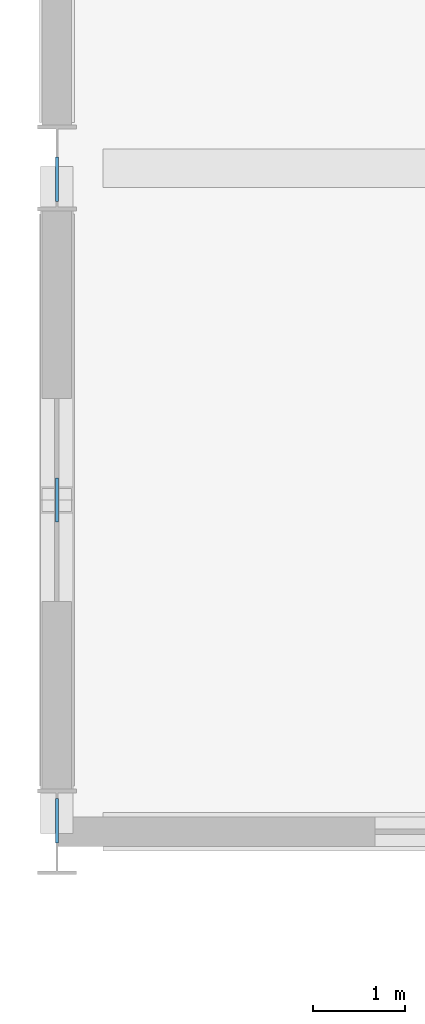
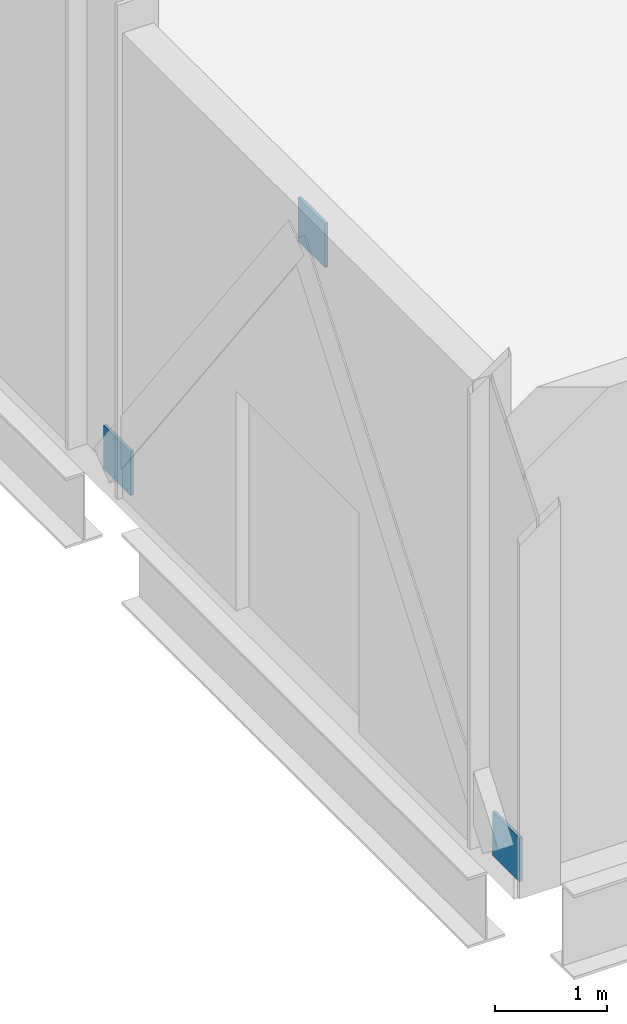
# One storey, part 78 of 137: 3 plates.
"""IFC4 building model written with IfcOpenShell, lengths in metres."""

from ifc_helpers import new_model, si_unit, direction, frame, origin, origin_2d, place, context, subcontext, project, spatial, rectangle, extrude, material, layer, layer_set, type_object, element, save


model = new_model("IFC4")

# Units and contexts
model_context = context("Model", 3, precision=1e-05, world=origin(), true_north=direction((0.0, 1.0)))
body_context = subcontext(model_context, "Body", "Model", "MODEL_VIEW")
ifc_project = project(units=[si_unit("LENGTHUNIT", "METRE"), si_unit("AREAUNIT", "SQUARE_METRE"), si_unit("VOLUMEUNIT", "CUBIC_METRE"), si_unit("PLANEANGLEUNIT", "RADIAN"), si_unit("MASSUNIT", "GRAM", prefix="KILO")], contexts=[model_context])

# Site, building, storey
site_placement = place(None, origin())
site = spatial("IfcSite", under=ifc_project, at=site_placement, CompositionType="ELEMENT")
building_placement = place(site_placement, origin())
building = spatial("IfcBuilding", under=site, at=building_placement, Name="Celestram Park Convention Centre", CompositionType="ELEMENT")
storey_placement = place(building_placement, origin())
storey = spatial("IfcBuildingStorey", under=building, at=storey_placement, Name="L00", CompositionType="ELEMENT", Elevation=0.0)

# Plates
ifc_material = material(Name="Steel ASTM A572 Grade 50", Category="steel")
ifc_layer = layer(ifc_material, 0.031982421875)
ifc_layer_set = layer_set([ifc_layer], Name="Steel ASTM A572 Grade 50")
plate_type = type_object("IfcPlateType", Name="STR-PLT-GP32", PredefinedType="USERDEFINED", material=ifc_layer_set)
for number, where, z_axis, x_axis, name in (
    (1, (0.0, 25.199951171875, 4.510009765625), (0.0, 0.0, 1.0), (0.0, 1.0, 0.0), "Chevron brace apex gusset GP-L00-508"),
    (2, (0.0, 21.719970703125, -0.090087890625), (0.0, 0.0, 1.0), (0.0, 1.0, 0.0), "Chevron brace base gusset GP-L00-509"),
    (3, (0.0, 28.679931640625, -0.090087890625), (0.0, 0.0, 1.0), (0.0, 1.0, 0.0), "Chevron brace base gusset GP-L00-510"),
):
    element("IfcPlate", number, at=place(storey_placement, frame(where, z_axis=z_axis, x_axis=x_axis)), inside=storey, type_object=plate_type, Name=name, ObjectType="GUSSET_PLATE", PredefinedType="USERDEFINED", context=body_context, shape_type="SweptSolid", body=[
        extrude(rectangle(XDim=0.47998046875, YDim=0.031982421875, at=origin_2d()), origin(), (0.0, 0.0, 1.0), 0.47998046875),
    ])

save(model, "model.ifc")
